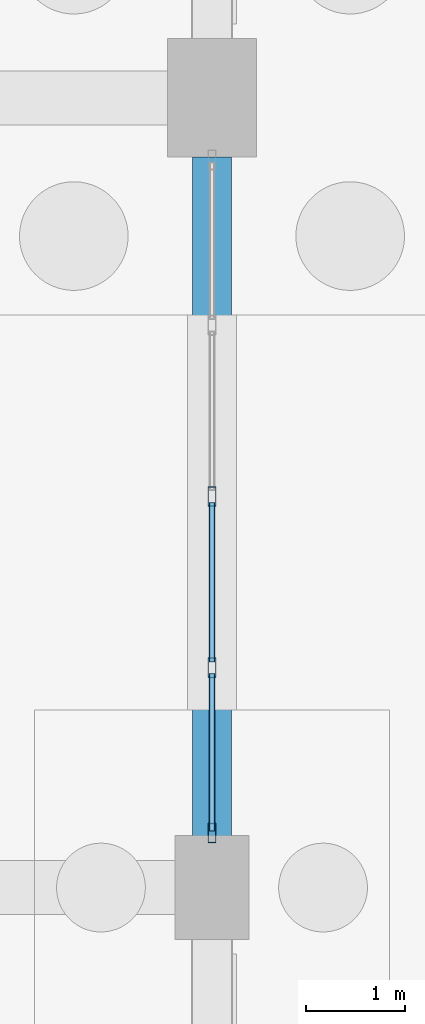
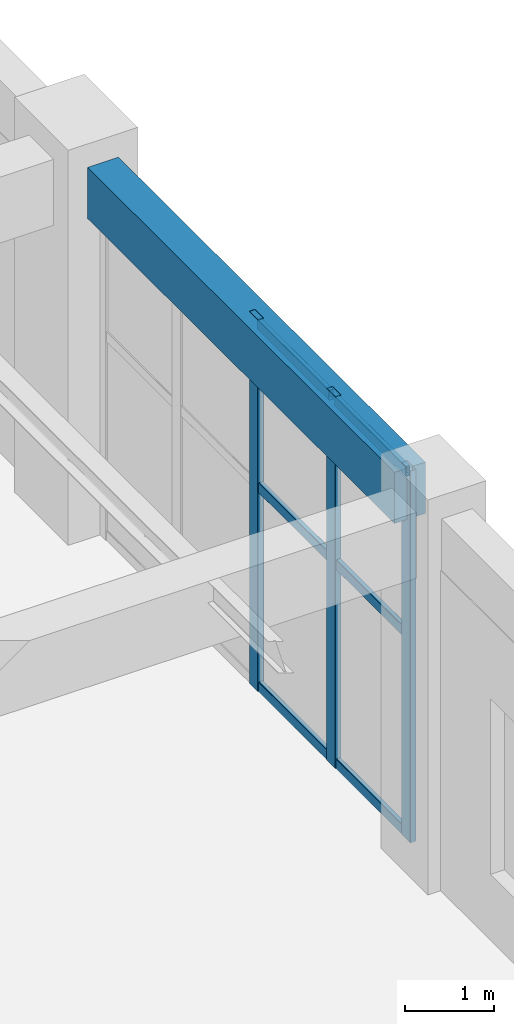
# One storey, part 63 of 121: 9 members, 1 beam, 1 element without a shape of its own.
"""IFC4 building model written with IfcOpenShell, lengths in metres."""

from ifc_helpers import new_model, si_unit, derived_unit, direction, frame, origin, origin_2d, place, context, subcontext, project, spatial, rectangle, hollow_rectangle, extrude, material, material_profile, profile_set, type_object, element, aggregate, save


model = new_model("IFC4")

# Units and contexts
model_context = context("Model", 3, precision=1e-05, world=origin(), true_north=direction((0.0, 1.0)))
body_context = subcontext(model_context, "Body", "Model", "MODEL_VIEW")
ifc_project = project(units=[si_unit("LENGTHUNIT", "METRE"), si_unit("AREAUNIT", "SQUARE_METRE"), si_unit("VOLUMEUNIT", "CUBIC_METRE"), si_unit("PLANEANGLEUNIT", "RADIAN"), si_unit("MASSUNIT", "GRAM", prefix="KILO"), derived_unit("THERMALTRANSMITTANCEUNIT", [(si_unit("MASSUNIT", "GRAM", prefix="KILO"), 1), (si_unit("TIMEUNIT", "SECOND"), -3), (si_unit("THERMODYNAMICTEMPERATUREUNIT", "KELVIN"), -1)])], contexts=[model_context])

# Site, building, storey
site_placement = place(None, origin())
site = spatial("IfcSite", under=ifc_project, at=site_placement, CompositionType="ELEMENT")
building_placement = place(site_placement, origin())
building = spatial("IfcBuilding", under=site, at=building_placement, Name="Zhenchuan Archway Interchange", CompositionType="ELEMENT")
storey_placement = place(building_placement, origin())
storey = spatial("IfcBuildingStorey", under=building, at=storey_placement, Name="L00", CompositionType="ELEMENT", Elevation=0.0)

# Curtain wall, members
ifc_material_1 = material(Name="Anodised Aluminium", Category="aluminium")
curtain_wall_type = type_object("IfcCurtainWallType", Name="CW_UNIT_4", PredefinedType="NOTDEFINED", material=ifc_material_1)
curtain_wall_placement = place(storey_placement, origin())
curtain_wall = element("IfcCurtainWall", 1, at=curtain_wall_placement, inside=storey, type_object=curtain_wall_type, Name="Unitised curtain wall CW:L00:015", PredefinedType="NOTDEFINED")
ifc_material_profile_1 = material_profile(ifc_material_1, hollow_rectangle(XDim=0.080078125, YDim=0.199951171875, WallThickness=0.00439453125, InnerFilletRadius=0.00439453125, OuterFilletRadius=0.009033203125, at=origin_2d()), Name="ALU 200x80x4.5")
ifc_profile_set_1 = profile_set([ifc_material_profile_1], Name="Anodised Aluminium")
member_type_1 = type_object("IfcMemberType", Name="CW_MUL_200", PredefinedType="MULLION", material=ifc_profile_set_1)
member_1_placement = place(storey_placement, frame((171.0, 19.96240234375, 0.0), z_axis=(0.0, 0.0, 1.0), x_axis=(1.0, 0.0, 0.0)))
member_1 = element("IfcMember", 2, at=member_1_placement, type_object=member_type_1, Name="CW:L00:015 mullion 2", PredefinedType="MULLION", context=body_context, shape_type="SweptSolid", body=[
    extrude(hollow_rectangle(XDim=0.080078125, YDim=0.199951171875, WallThickness=0.00439453125, InnerFilletRadius=0.00439453125, OuterFilletRadius=0.009033203125, at=origin_2d()), origin(), (0.0, 0.0, 1.0), 5.080078125),
])
member_2_placement = place(storey_placement, frame((171.0, 18.227783203125, 0.0), z_axis=(0.0, 0.0, 1.0), x_axis=(1.0, 0.0, 0.0)))
member_2 = element("IfcMember", 3, at=member_2_placement, type_object=member_type_1, Name="CW:L00:015 mullion 3", PredefinedType="MULLION", context=body_context, shape_type="SweptSolid", body=[
    extrude(hollow_rectangle(XDim=0.080078125, YDim=0.199951171875, WallThickness=0.00439453125, InnerFilletRadius=0.00439453125, OuterFilletRadius=0.009033203125, at=origin_2d()), origin(), (0.0, 0.0, 1.0), 5.080078125),
])
member_3_placement = place(storey_placement, frame((171.0, 16.552978515625, 0.0), z_axis=(0.0, 0.0, 1.0), x_axis=(1.0, 0.0, 0.0)))
member_3 = element("IfcMember", 4, at=member_3_placement, type_object=member_type_1, Name="CW:L00:015 mullion 4", PredefinedType="MULLION", context=body_context, shape_type="SweptSolid", body=[
    extrude(hollow_rectangle(XDim=0.080078125, YDim=0.199951171875, WallThickness=0.00439453125, InnerFilletRadius=0.00439453125, OuterFilletRadius=0.009033203125, at=origin_2d()), origin(), (0.0, 0.0, 1.0), 5.080078125),
])
ifc_material_profile_2 = material_profile(ifc_material_1, hollow_rectangle(XDim=0.06005859375, YDim=0.139892578125, WallThickness=0.00341796875, InnerFilletRadius=0.00341796875, OuterFilletRadius=0.007080078125, at=origin_2d()), Name="ALU 140x60x3.5")
ifc_profile_set_2 = profile_set([ifc_material_profile_2], Name="Anodised Aluminium")
member_type_2 = type_object("IfcMemberType", Name="CW_TRN_140", PredefinedType="USERDEFINED", material=ifc_profile_set_2)
member_4_placement = place(storey_placement, frame((171.0, 19.902587890625, 0.06005859375), z_axis=(0.0, -1.0, 0.0), x_axis=(1.0, 0.0, 0.0)))
member_4 = element("IfcMember", 5, at=member_4_placement, type_object=member_type_2, Name="CW:L00:015 transom 2-1", ObjectType="TRANSOM", PredefinedType="USERDEFINED", context=body_context, shape_type="SweptSolid", body=[
    extrude(hollow_rectangle(XDim=0.06005859375, YDim=0.139892578125, WallThickness=0.00341796875, InnerFilletRadius=0.00341796875, OuterFilletRadius=0.007080078125, at=origin_2d()), origin(), (0.0, 0.0, 1.0), 1.614990234375),
])
member_5_placement = place(storey_placement, frame((171.0, 19.902587890625, 2.782958984375), z_axis=(0.0, -1.0, 0.0), x_axis=(1.0, 0.0, 0.0)))
member_5 = element("IfcMember", 6, at=member_5_placement, type_object=member_type_2, Name="CW:L00:015 transom 2-2", ObjectType="TRANSOM", PredefinedType="USERDEFINED", context=body_context, shape_type="SweptSolid", body=[
    extrude(hollow_rectangle(XDim=0.06005859375, YDim=0.139892578125, WallThickness=0.00341796875, InnerFilletRadius=0.00341796875, OuterFilletRadius=0.007080078125, at=origin_2d()), origin(), (0.0, 0.0, 1.0), 1.614990234375),
])
member_6_placement = place(storey_placement, frame((171.0, 19.902587890625, 5.0), z_axis=(0.0, -1.0, 0.0), x_axis=(1.0, 0.0, 0.0)))
member_6 = element("IfcMember", 7, at=member_6_placement, type_object=member_type_2, Name="CW:L00:015 transom 2-3", ObjectType="TRANSOM", PredefinedType="USERDEFINED", context=body_context, shape_type="SweptSolid", body=[
    extrude(hollow_rectangle(XDim=0.06005859375, YDim=0.139892578125, WallThickness=0.00341796875, InnerFilletRadius=0.00341796875, OuterFilletRadius=0.007080078125, at=origin_2d()), origin(), (0.0, 0.0, 1.0), 1.614990234375),
])
member_7_placement = place(storey_placement, frame((171.0, 18.167724609375, 0.06005859375), z_axis=(0.0, -1.0, 0.0), x_axis=(1.0, 0.0, 0.0)))
member_7 = element("IfcMember", 8, at=member_7_placement, type_object=member_type_2, Name="CW:L00:015 transom 3-1", ObjectType="TRANSOM", PredefinedType="USERDEFINED", context=body_context, shape_type="SweptSolid", body=[
    extrude(hollow_rectangle(XDim=0.06005859375, YDim=0.139892578125, WallThickness=0.00341796875, InnerFilletRadius=0.00341796875, OuterFilletRadius=0.007080078125, at=origin_2d()), origin(), (0.0, 0.0, 1.0), 1.5947265625),
])
member_8_placement = place(storey_placement, frame((171.0, 18.167724609375, 2.782958984375), z_axis=(0.0, -1.0, 0.0), x_axis=(1.0, 0.0, 0.0)))
member_8 = element("IfcMember", 9, at=member_8_placement, type_object=member_type_2, Name="CW:L00:015 transom 3-2", ObjectType="TRANSOM", PredefinedType="USERDEFINED", context=body_context, shape_type="SweptSolid", body=[
    extrude(hollow_rectangle(XDim=0.06005859375, YDim=0.139892578125, WallThickness=0.00341796875, InnerFilletRadius=0.00341796875, OuterFilletRadius=0.007080078125, at=origin_2d()), origin(), (0.0, 0.0, 1.0), 1.5947265625),
])
member_9_placement = place(storey_placement, frame((171.0, 18.167724609375, 5.0), z_axis=(0.0, -1.0, 0.0), x_axis=(1.0, 0.0, 0.0)))
member_9 = element("IfcMember", 10, at=member_9_placement, type_object=member_type_2, Name="CW:L00:015 transom 3-3", ObjectType="TRANSOM", PredefinedType="USERDEFINED", context=body_context, shape_type="SweptSolid", body=[
    extrude(hollow_rectangle(XDim=0.06005859375, YDim=0.139892578125, WallThickness=0.00341796875, InnerFilletRadius=0.00341796875, OuterFilletRadius=0.007080078125, at=origin_2d()), origin(), (0.0, 0.0, 1.0), 1.5947265625),
])
aggregate(curtain_wall, [member_1, member_2, member_3, member_4, member_5, member_6, member_7, member_8, member_9])

# Beam
ifc_material_2 = material(Name="Concrete C40", Category="concrete")
ifc_material_profile_3 = material_profile(ifc_material_2, rectangle(XDim=0.39990234375, YDim=0.699951171875, at=origin_2d()), Name="RC 400x700")
ifc_profile_set_3 = profile_set([ifc_material_profile_3], Name="Concrete C40")
beam_type = type_object("IfcBeamType", Name="SP_RC_400x700", PredefinedType="SPANDREL", material=ifc_profile_set_3)
beam_placement = place(storey_placement, frame((171.0, 16.52490234375, 4.72998046875), z_axis=(0.0, 1.0, 0.0), x_axis=(-1.0, 0.0, 0.0)))
element("IfcBeam", 11, at=beam_placement, inside=storey, type_object=beam_type, Name="Beam 20:C-D (L00)", PredefinedType="SPANDREL", context=body_context, shape_type="SweptSolid", body=[
    extrude(rectangle(XDim=0.39990234375, YDim=0.699951171875, at=origin_2d()), origin(), (0.0, 0.0, 1.0), 6.875),
])

save(model, "model.ifc")
